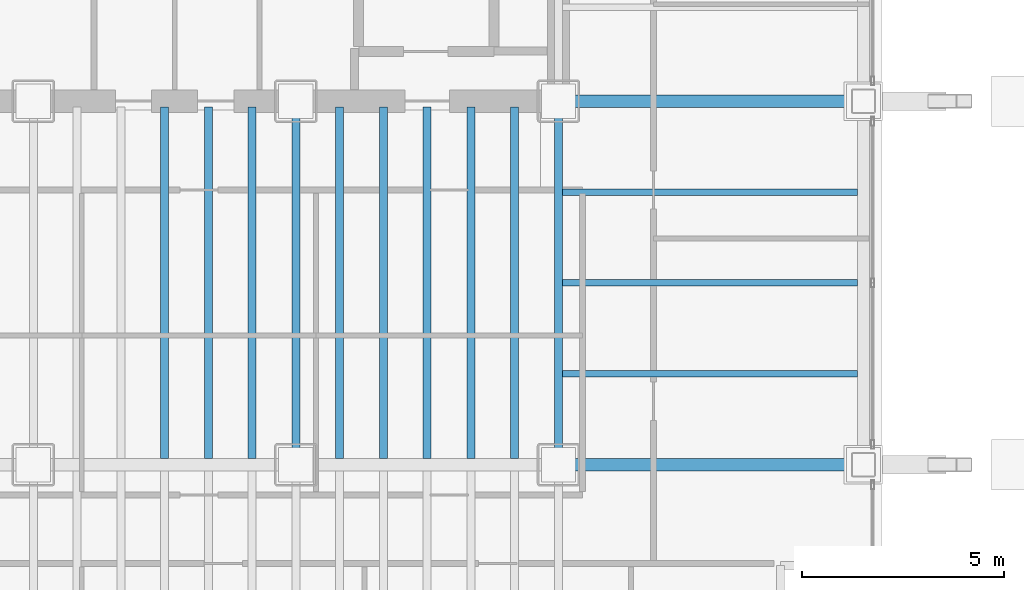
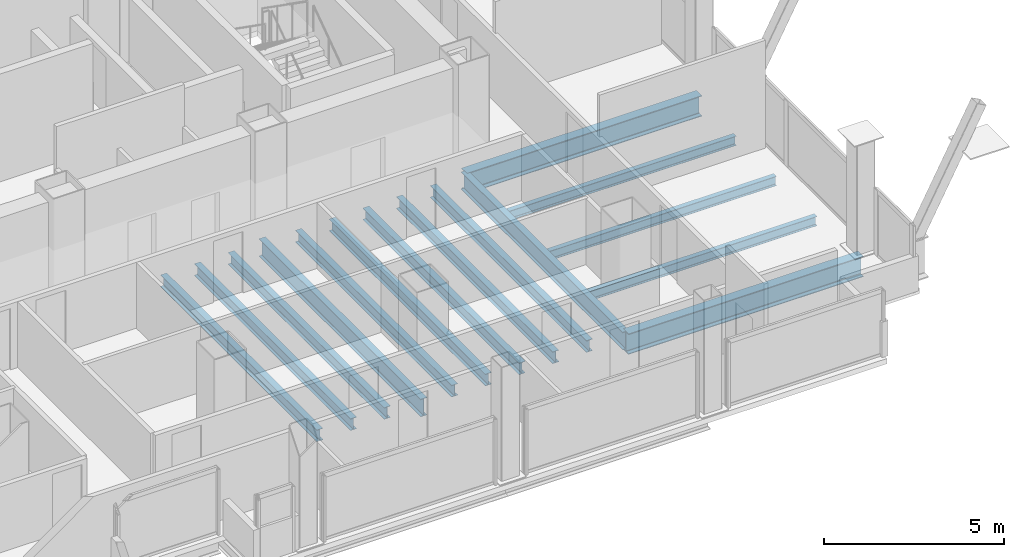
# One storey, part 10 of 21: 15 beams.
"""IFC4 building model written with IfcOpenShell, lengths in metres."""

from ifc_helpers import new_model, si_unit, direction, frame, origin, origin_2d, place, context, subcontext, project, spatial, i_section, extrude, material, material_profile, profile_set, type_object, element, save


model = new_model("IFC4")

# Units and contexts
model_context = context("Model", 3, precision=1e-05, world=origin(), true_north=direction((0.0, 1.0)))
body_context = subcontext(model_context, "Body", "Model", "MODEL_VIEW")
ifc_project = project(units=[si_unit("LENGTHUNIT", "METRE"), si_unit("AREAUNIT", "SQUARE_METRE"), si_unit("VOLUMEUNIT", "CUBIC_METRE"), si_unit("PLANEANGLEUNIT", "RADIAN"), si_unit("MASSUNIT", "GRAM", prefix="KILO")], contexts=[model_context])

# Site, building, storey
site_placement = place(None, origin())
site = spatial("IfcSite", under=ifc_project, at=site_placement, CompositionType="ELEMENT")
building_placement = place(site_placement, origin())
building = spatial("IfcBuilding", under=site, at=building_placement, Name="Noeulbin Bourse Tower", CompositionType="ELEMENT")
storey_placement = place(building_placement, frame((0.0, 0.0, 49.89990234375)))
storey = spatial("IfcBuildingStorey", under=building, at=storey_placement, Name="L12", CompositionType="ELEMENT", Elevation=49.89990234375)

# Beams
ifc_material = material(Name="Steel S355", Category="steel")
ifc_material_profile_1 = material_profile(ifc_material, i_section(OverallWidth=0.199951171875, OverallDepth=0.60009765625, WebThickness=0.010986328125, FlangeThickness=0.01708984375, FilletRadius=0.02197265625, at=origin_2d()), Name="H-600x200x11x17", Category="LoadBearing")
ifc_profile_set_1 = profile_set([ifc_material_profile_1], Name="Steel S355")
beam_type_1 = type_object("IfcBeamType", Name="BM-GRD-600", PredefinedType="USERDEFINED", material=ifc_profile_set_1)
for number, where, z_axis, x_axis, name in (
    (1, (37.5, 20.0, -0.47998046875), (0.0, 1.0, 0.0), (-1.0, 0.0, 0.0), "Tower Primary Girder NS L12-4.2"),
    (2, (44.0, 20.0, -0.47998046875), (0.0, 1.0, 0.0), (-1.0, 0.0, 0.0), "Tower Primary Girder NS L12-5.2"),
):
    element("IfcBeam", number, at=place(storey_placement, frame(where, z_axis=z_axis, x_axis=x_axis)), inside=storey, type_object=beam_type_1, Name=name, ObjectType="GIRDER", PredefinedType="USERDEFINED", context=body_context, shape_type="SweptSolid", body=[
        extrude(i_section(OverallWidth=0.199951171875, OverallDepth=0.60009765625, WebThickness=0.010986328125, FlangeThickness=0.01708984375, FilletRadius=0.02197265625, at=origin_2d()), origin(), (0.0, 0.0, 1.0), 9.0),
    ])
ifc_material_profile_2 = material_profile(ifc_material, i_section(OverallWidth=0.300048828125, OverallDepth=0.699951171875, WebThickness=0.012939453125, FlangeThickness=0.02392578125, FilletRadius=0.02392578125, at=origin_2d()), Name="H-700x300x13x24", Category="LoadBearing")
ifc_profile_set_2 = profile_set([ifc_material_profile_2], Name="Steel S355")
beam_type_2 = type_object("IfcBeamType", Name="BM-GRD-700", PredefinedType="USERDEFINED", material=ifc_profile_set_2)
for number, where, z_axis, x_axis, name in (
    (3, (44.0, 20.0, -0.52978515625), (1.0, 0.0, 0.0), (0.0, 1.0, 0.0), "Tower Primary Girder EW L12-1.6"),
    (4, (44.0, 29.0, -0.52978515625), (1.0, 0.0, 0.0), (0.0, 1.0, 0.0), "Tower Primary Girder EW L12-2.6"),
):
    element("IfcBeam", number, at=place(storey_placement, frame(where, z_axis=z_axis, x_axis=x_axis)), inside=storey, type_object=beam_type_2, Name=name, ObjectType="GIRDER", PredefinedType="USERDEFINED", context=body_context, shape_type="SweptSolid", body=[
        extrude(i_section(OverallWidth=0.300048828125, OverallDepth=0.699951171875, WebThickness=0.012939453125, FlangeThickness=0.02392578125, FilletRadius=0.02392578125, at=origin_2d()), origin(), (0.0, 0.0, 1.0), 7.550048828125),
    ])
ifc_material_profile_3 = material_profile(ifc_material, i_section(OverallWidth=0.159912109375, OverallDepth=0.320068359375, WebThickness=0.006591796875, FlangeThickness=0.010009765625, FilletRadius=0.012939453125, at=origin_2d()), Name="H-320x160x6.5x10", Category="LoadBearing")
ifc_profile_set_3 = profile_set([ifc_material_profile_3], Name="Steel S355")
beam_type_3 = type_object("IfcBeamType", Name="BM-JST-320", PredefinedType="JOIST", material=ifc_profile_set_3)
for number, where, z_axis, x_axis, name in (
    (5, (44.10009765625, 22.25, -0.33984375), (1.0, 0.0, 0.0), (0.0, 1.0, 0.0), "Wing Composite Joist L12-E76"),
    (6, (44.10009765625, 24.5, -0.33984375), (1.0, 0.0, 0.0), (0.0, 1.0, 0.0), "Wing Composite Joist L12-E77"),
    (7, (44.10009765625, 26.75, -0.33984375), (1.0, 0.0, 0.0), (0.0, 1.0, 0.0), "Wing Composite Joist L12-E78"),
):
    element("IfcBeam", number, at=place(storey_placement, frame(where, z_axis=z_axis, x_axis=x_axis)), inside=storey, type_object=beam_type_3, Name=name, PredefinedType="JOIST", context=body_context, shape_type="SweptSolid", body=[
        extrude(i_section(OverallWidth=0.159912109375, OverallDepth=0.320068359375, WebThickness=0.006591796875, FlangeThickness=0.010009765625, FilletRadius=0.012939453125, at=origin_2d()), origin(), (0.0, 0.0, 1.0), 7.2998046875),
    ])
ifc_material_profile_4 = material_profile(ifc_material, i_section(OverallWidth=0.199951171875, OverallDepth=0.39990234375, WebThickness=0.008056640625, FlangeThickness=0.012939453125, FilletRadius=0.01611328125, at=origin_2d()), Name="H-400x200x8x13", Category="LoadBearing")
ifc_profile_set_4 = profile_set([ifc_material_profile_4], Name="Steel S355")
beam_type_4 = type_object("IfcBeamType", Name="BM-SEC-400", PredefinedType="BEAM", material=ifc_profile_set_4)
for number, where, z_axis, x_axis, name in (
    (8, (34.25, 20.14990234375, -0.3798828125), (0.0, 1.0, 0.0), (-1.0, 0.0, 0.0), "Tower Composite Joist L12-47"),
    (9, (35.333251953125, 20.14990234375, -0.3798828125), (0.0, 1.0, 0.0), (-1.0, 0.0, 0.0), "Tower Composite Joist L12-50"),
    (10, (36.416748046875, 20.14990234375, -0.3798828125), (0.0, 1.0, 0.0), (-1.0, 0.0, 0.0), "Tower Composite Joist L12-53"),
    (11, (38.583251953125, 20.14990234375, -0.3798828125), (0.0, 1.0, 0.0), (-1.0, 0.0, 0.0), "Tower Composite Joist L12-56"),
    (12, (39.666748046875, 20.14990234375, -0.3798828125), (0.0, 1.0, 0.0), (-1.0, 0.0, 0.0), "Tower Composite Joist L12-59"),
    (13, (40.75, 20.14990234375, -0.3798828125), (0.0, 1.0, 0.0), (-1.0, 0.0, 0.0), "Tower Composite Joist L12-62"),
    (14, (41.833251953125, 20.14990234375, -0.3798828125), (0.0, 1.0, 0.0), (-1.0, 0.0, 0.0), "Tower Composite Joist L12-65"),
    (15, (42.916748046875, 20.14990234375, -0.3798828125), (0.0, 1.0, 0.0), (-1.0, 0.0, 0.0), "Tower Composite Joist L12-68"),
):
    element("IfcBeam", number, at=place(storey_placement, frame(where, z_axis=z_axis, x_axis=x_axis)), inside=storey, type_object=beam_type_4, Name=name, PredefinedType="BEAM", context=body_context, shape_type="SweptSolid", body=[
        extrude(i_section(OverallWidth=0.199951171875, OverallDepth=0.39990234375, WebThickness=0.008056640625, FlangeThickness=0.012939453125, FilletRadius=0.01611328125, at=origin_2d()), origin(), (0.0, 0.0, 1.0), 8.7001953125),
    ])

save(model, "model.ifc")
